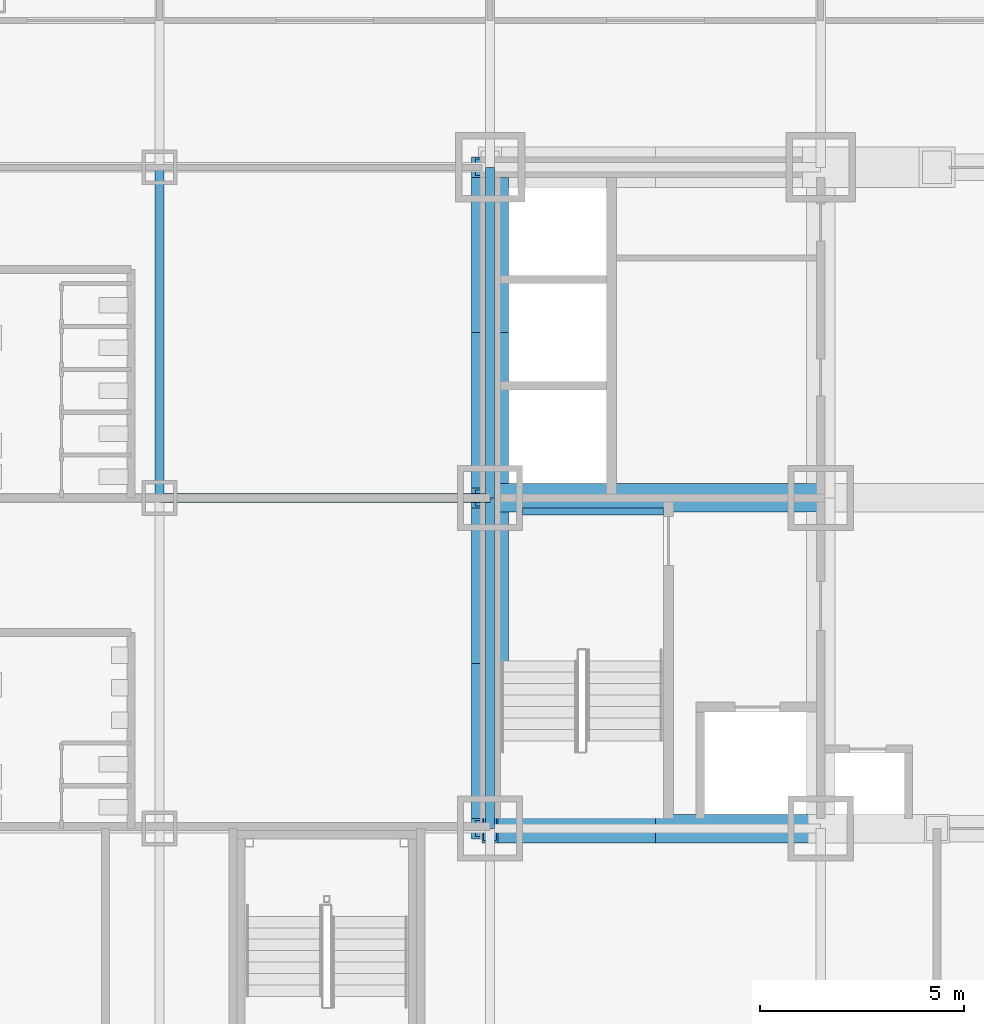
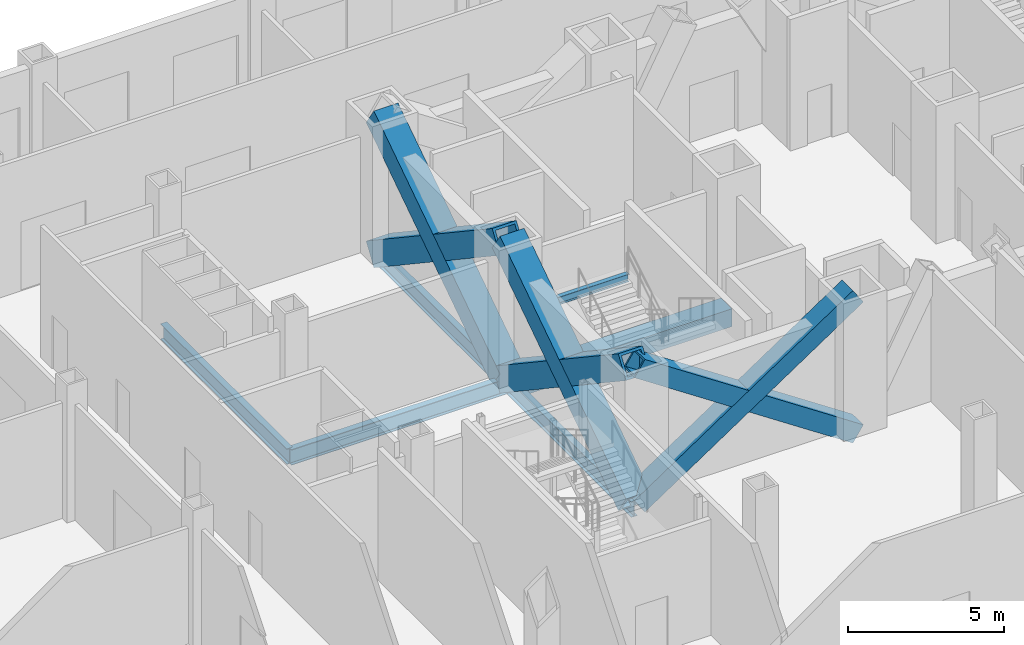
# One storey, part 14 of 29: 6 beams, 6 members.
"""IFC4 building model written with IfcOpenShell, lengths in metres."""

from ifc_helpers import new_model, si_unit, direction, frame, origin, origin_2d, place, context, subcontext, project, spatial, hollow_rectangle, i_section, extrude, material, material_profile, profile_set, type_object, element, save


model = new_model("IFC4")

# Units and contexts
model_context = context("Model", 3, precision=1e-05, world=origin(), true_north=direction((0.0, 1.0)))
body_context = subcontext(model_context, "Body", "Model", "MODEL_VIEW")
ifc_project = project(units=[si_unit("LENGTHUNIT", "METRE"), si_unit("AREAUNIT", "SQUARE_METRE"), si_unit("VOLUMEUNIT", "CUBIC_METRE"), si_unit("PLANEANGLEUNIT", "RADIAN"), si_unit("MASSUNIT", "GRAM", prefix="KILO")], contexts=[model_context])

# Site, building, storey
site_placement = place(None, origin())
site = spatial("IfcSite", under=ifc_project, at=site_placement, CompositionType="ELEMENT")
building_placement = place(site_placement, origin())
building = spatial("IfcBuilding", under=site, at=building_placement, Name="Kopane Lantern Tower", CompositionType="ELEMENT")
storey_placement = place(building_placement, frame((0.0, 0.0, 11.39990234375)))
storey = spatial("IfcBuildingStorey", under=building, at=storey_placement, Name="L02", CompositionType="ELEMENT", Elevation=11.39990234375)

# Members
ifc_material_1 = material(Name="Steel S355JR", Category="steel")
ifc_material_profile_1 = material_profile(ifc_material_1, hollow_rectangle(XDim=0.699951171875, YDim=0.699951171875, WallThickness=0.06005859375, at=origin_2d()), Name="BOX 700x700x60")
ifc_profile_set_1 = profile_set([ifc_material_profile_1], Name="Steel S355JR")
member_type_1 = type_object("IfcMemberType", Name="BRACE BOX 700x700x60", PredefinedType="BRACE", material=ifc_profile_set_1)
for number, where, z_axis, x_axis, name in (
    (1, (16.199951171875, 24.300048828125, -0.25), (0.832046436124, 0.0, 0.554705983502), (0.0, 1.0, 0.0), "Core brace L02"),
    (2, (24.300048828125, 24.300048828125, -0.25), (-0.832046436124, 0.0, 0.554705983502), (0.0, -1.0, 0.0), "Core brace L02"),
):
    element("IfcMember", number, at=place(storey_placement, frame(where, z_axis=z_axis, x_axis=x_axis)), inside=storey, type_object=member_type_1, Name=name, PredefinedType="BRACE", context=body_context, shape_type="SweptSolid", body=[
        extrude(hollow_rectangle(XDim=0.699951171875, YDim=0.699951171875, WallThickness=0.06005859375, at=origin_2d()), origin(), (0.0, 0.0, 1.0), 9.735107421875),
    ])
ifc_material_2 = material(Name="Steel S355JR", Category="steel")
ifc_material_profile_2 = material_profile(ifc_material_2, hollow_rectangle(XDim=0.89990234375, YDim=0.89990234375, WallThickness=0.090087890625, at=origin_2d()), Name="BOX 900x900x90")
ifc_profile_set_2 = profile_set([ifc_material_profile_2], Name="Steel S355JR")
member_type_2 = type_object("IfcMemberType", Name="BRACE BOX 900x900x90", PredefinedType="BRACE", material=ifc_profile_set_2)
for number, where, z_axis, x_axis, name in (
    (3, (16.199951171875, 24.300048828125, -0.25), (0.0, 0.832038719335, 0.554717558338), (-1.0, 0.0, 0.0), "Core brace L02"),
    (4, (16.199951171875, 32.39990234375, -0.25), (0.0, -0.832038719335, 0.554717558338), (1.0, 0.0, 0.0), "Core brace L02"),
):
    element("IfcMember", number, at=place(storey_placement, frame(where, z_axis=z_axis, x_axis=x_axis)), inside=storey, type_object=member_type_2, Name=name, PredefinedType="BRACE", context=body_context, shape_type="SweptSolid", body=[
        extrude(hollow_rectangle(XDim=0.89990234375, YDim=0.89990234375, WallThickness=0.090087890625, at=origin_2d()), origin(), (0.0, 0.0, 1.0), 9.73486328125),
    ])
for number, where, z_axis, x_axis, name in (
    (5, (16.199951171875, 32.39990234375, -0.25), (0.0, 0.832046436124, 0.554705983502), (-1.0, 0.0, 0.0), "Core brace L02"),
    (6, (16.199951171875, 40.5, -0.25), (0.0, -0.832046436124, 0.554705983502), (1.0, 0.0, 0.0), "Core brace L02"),
):
    element("IfcMember", number, at=place(storey_placement, frame(where, z_axis=z_axis, x_axis=x_axis)), inside=storey, type_object=member_type_2, Name=name, PredefinedType="BRACE", context=body_context, shape_type="SweptSolid", body=[
        extrude(hollow_rectangle(XDim=0.89990234375, YDim=0.89990234375, WallThickness=0.090087890625, at=origin_2d()), origin(), (0.0, 0.0, 1.0), 9.735107421875),
    ])

# Beams
ifc_material_3 = material(Name="Steel S355JR", Category="steel")
ifc_material_profile_3 = material_profile(ifc_material_3, hollow_rectangle(XDim=0.699951171875, YDim=0.699951171875, WallThickness=0.06005859375, at=origin_2d()), Name="BOX 700x700x60")
ifc_profile_set_3 = profile_set([ifc_material_profile_3], Name="Steel S355JR")
beam_type_1 = type_object("IfcBeamType", Name="CORE BEAM BOX 700x700x60", PredefinedType="BEAM", material=ifc_profile_set_3)
beam_1_placement = place(storey_placement, frame((16.199951171875, 32.39990234375, -0.599853515625), z_axis=(1.0, 0.0, 0.0), x_axis=(0.0, 1.0, 0.0)))
element("IfcBeam", 7, at=beam_1_placement, inside=storey, type_object=beam_type_1, Name="Core Beam L02", PredefinedType="BEAM", context=body_context, shape_type="SweptSolid", body=[
    extrude(hollow_rectangle(XDim=0.699951171875, YDim=0.699951171875, WallThickness=0.06005859375, at=origin_2d()), origin(), (0.0, 0.0, 1.0), 8.10009765625),
])
ifc_material_4 = material(Name="Steel S355JR", Category="steel")
ifc_material_profile_4 = material_profile(ifc_material_4, i_section(OverallWidth=0.22900390625, OverallDepth=0.6123046875, WebThickness=0.011962890625, FlangeThickness=0.01953125, FilletRadius=0.0126953125, at=origin_2d()), Name="UB 610x229x125")
ifc_profile_set_4 = profile_set([ifc_material_profile_4], Name="Steel S355JR")
beam_type_2 = type_object("IfcBeamType", Name="GIRDER UB 610x229x125", PredefinedType="BEAM", material=ifc_profile_set_4)
beam_2_placement = place(storey_placement, frame((8.10009765625, 32.39990234375, -0.555908203125), z_axis=(0.0, 1.0, 0.0), x_axis=(-1.0, 0.0, 0.0)))
element("IfcBeam", 8, at=beam_2_placement, inside=storey, type_object=beam_type_2, Name="Girder L02", PredefinedType="BEAM", context=body_context, shape_type="SweptSolid", body=[
    extrude(i_section(OverallWidth=0.22900390625, OverallDepth=0.6123046875, WebThickness=0.011962890625, FlangeThickness=0.01953125, FilletRadius=0.0126953125, at=origin_2d()), origin(), (0.0, 0.0, 1.0), 8.10009765625),
])
for number, where, z_axis, x_axis, name in (
    (9, (8.10009765625, 32.39990234375, -0.555908203125), (1.0, 0.0, 0.0), (0.0, 1.0, 0.0), "Girder L02"),
    (10, (16.199951171875, 24.300048828125, -0.555908203125), (0.0, 1.0, 0.0), (-1.0, 0.0, 0.0), "Girder L02"),
):
    element("IfcBeam", number, at=place(storey_placement, frame(where, z_axis=z_axis, x_axis=x_axis)), inside=storey, type_object=beam_type_2, Name=name, PredefinedType="BEAM", context=body_context, shape_type="SweptSolid", body=[
        extrude(i_section(OverallWidth=0.22900390625, OverallDepth=0.6123046875, WebThickness=0.011962890625, FlangeThickness=0.01953125, FilletRadius=0.0126953125, at=origin_2d()), origin(), (0.0, 0.0, 1.0), 8.099853515625),
    ])
beam_3_placement = place(storey_placement, frame((16.199951171875, 32.39990234375, -0.555908203125), z_axis=(0.0, 1.0, 0.0), x_axis=(-1.0, 0.0, 0.0)))
element("IfcBeam", 11, at=beam_3_placement, inside=storey, type_object=beam_type_2, Name="Girder L02", PredefinedType="BEAM", context=body_context, shape_type="SweptSolid", body=[
    extrude(i_section(OverallWidth=0.22900390625, OverallDepth=0.6123046875, WebThickness=0.011962890625, FlangeThickness=0.01953125, FilletRadius=0.0126953125, at=origin_2d()), origin(), (0.0, 0.0, 1.0), 8.10009765625),
])
ifc_material_5 = material(Name="Steel S355JR", Category="steel")
ifc_material_profile_5 = material_profile(ifc_material_5, i_section(OverallWidth=0.1650390625, OverallDepth=0.303466796875, WebThickness=0.006103515625, FlangeThickness=0.01025390625, FilletRadius=0.0087890625, at=origin_2d()), Name="UB 305x165x40")
ifc_profile_set_5 = profile_set([ifc_material_profile_5], Name="Steel S355JR")
beam_type_3 = type_object("IfcBeamType", Name="STAIR LANDING BEAM UB 305x165x40", PredefinedType="BEAM", material=ifc_profile_set_5)
beam_4_placement = place(storey_placement, frame((17.0, 32.0673828125, 2.348388671875), z_axis=(1.0, 0.0, 0.0), x_axis=(0.0, 1.0, 0.0)))
element("IfcBeam", 12, at=beam_4_placement, inside=storey, type_object=beam_type_3, Name="Stair landing beam ST1 L02", PredefinedType="BEAM", context=body_context, shape_type="SweptSolid", body=[
    extrude(i_section(OverallWidth=0.1650390625, OverallDepth=0.303466796875, WebThickness=0.006103515625, FlangeThickness=0.01025390625, FilletRadius=0.0087890625, at=origin_2d()), origin(), (0.0, 0.0, 1.0), 3.449951171875),
])

save(model, "model.ifc")
